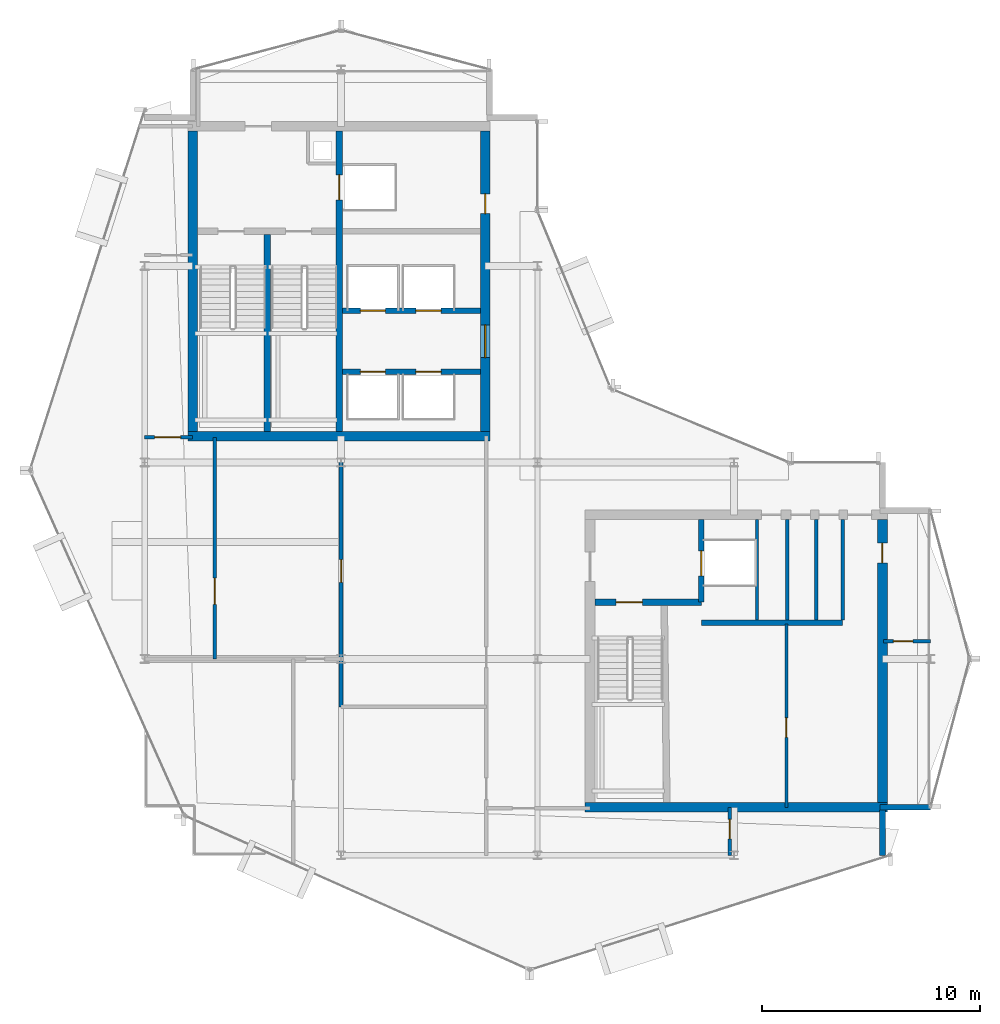
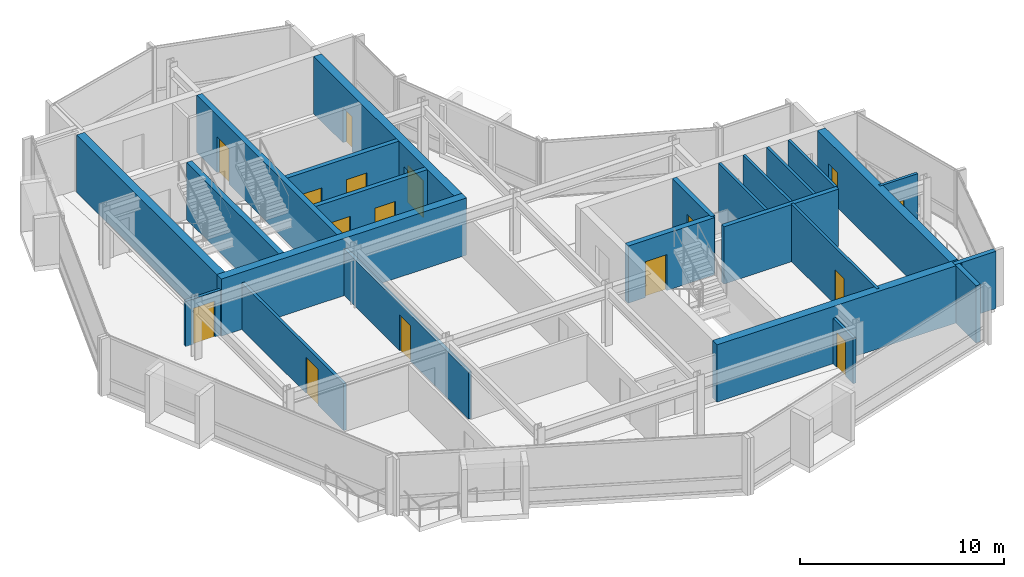
# One storey, part 14 of 19: 24 walls, 16 doors, 16 openings.
"""IFC4 building model written with IfcOpenShell, lengths in metres."""

from ifc_helpers import new_model, si_unit, direction, frame, frame_2d, origin, place, context, subcontext, project, spatial, rectangle, extrude, material, layer, layer_set, type_object, element, fill, save


model = new_model("IFC4")

# Units and contexts
model_context = context("Model", 3, precision=1e-05, world=origin(), true_north=direction((0.0, 1.0)))
body_context = subcontext(model_context, "Body", "Model", "MODEL_VIEW")
ifc_project = project(units=[si_unit("LENGTHUNIT", "METRE"), si_unit("AREAUNIT", "SQUARE_METRE"), si_unit("VOLUMEUNIT", "CUBIC_METRE"), si_unit("PLANEANGLEUNIT", "RADIAN"), si_unit("MASSUNIT", "GRAM", prefix="KILO")], contexts=[model_context])

# Site, building, storey
site_placement = place(None, origin())
site = spatial("IfcSite", under=ifc_project, at=site_placement, CompositionType="ELEMENT")
building_placement = place(site_placement, origin())
building = spatial("IfcBuilding", under=site, at=building_placement, Name="Solvaryn Broadcast Tower", CompositionType="ELEMENT")
storey_placement = place(building_placement, frame((0.0, 0.0, 259.300048828125)))
storey = spatial("IfcBuildingStorey", under=building, at=storey_placement, Name="L65", CompositionType="ELEMENT", Elevation=259.300048828125)

# Walls
ifc_material_1 = material(Name="Concrete f'c 70 MPa", Category="concrete")
ifc_layer_1 = layer(ifc_material_1, 0.449951171875)
ifc_layer_set_1 = layer_set([ifc_layer_1], Name="CW-SHEAR-450")
wall_type_1 = type_object("IfcWallType", Name="CW-SHEAR-450", PredefinedType="SHEAR", material=ifc_layer_set_1)
wall_1_placement = place(storey_placement, frame((10.97509765625, 28.199951171875, 0.0), z_axis=(0.0, 0.0, 1.0), x_axis=(1.0, 0.0, 0.0)))
element("IfcWall", 1, at=wall_1_placement, inside=storey, type_object=wall_type_1, Name="L65 West Core South Shear Wall", PredefinedType="SHEAR", context=body_context, shape_type="SweptSolid", body=[
    extrude(rectangle(XDim=13.849853515625, YDim=0.449951171875, at=frame_2d((6.9248046875, 0.0))), origin(), (0.0, 0.0, 1.0), 3.419921875),
])
wall_2_placement = place(storey_placement, frame((11.199951171875, 42.175048828125, 0.0), z_axis=(0.0, 0.0, 1.0), x_axis=(0.0, -1.0, 0.0)))
element("IfcWall", 2, at=wall_2_placement, inside=storey, type_object=wall_type_1, Name="L65 West Core West Shear Wall", PredefinedType="SHEAR", context=body_context, shape_type="SweptSolid", body=[
    extrude(rectangle(XDim=13.75, YDim=0.449951171875, at=frame_2d((6.875, 0.0))), origin(), (0.0, 0.0, 1.0), 3.419921875),
])

# Wall, openings, doors
wall_3_placement = place(storey_placement, frame((24.60009765625, 28.425048828125, 0.0), z_axis=(0.0, 0.0, 1.0), x_axis=(0.0, 1.0, 0.0)))
wall_3 = element("IfcWall", 3, at=wall_3_placement, inside=storey, type_object=wall_type_1, Name="L65 West Core East Shear Wall", PredefinedType="SHEAR", context=body_context, shape_type="SweptSolid", body=[
    extrude(rectangle(XDim=13.75, YDim=0.449951171875, at=frame_2d((6.875, 0.0))), origin(), (0.0, 0.0, 1.0), 3.419921875),
])
opening_1_placement = place(wall_3_placement, frame((3.375, 0.0, 0.0)))
opening_1 = element("IfcOpeningElement", 4, at=opening_1_placement, cuts=wall_3, Name="Opening FD60A", PredefinedType="OPENING", context=body_context, shape_type="SweptSolid", body=[
    extrude(rectangle(XDim=1.5, YDim=2.199951171875, at=frame_2d((0.75, 1.10009765625))), frame((0.0, 0.235107421875, 0.0), z_axis=(0.0, -1.0, 0.0), x_axis=(1.0, 0.0, 0.0)), (0.0, 0.0, 1.0), 0.469970703125),
])
opening_2_placement = place(wall_3_placement, frame((9.97509765625, 0.0, 0.0)))
opening_2 = element("IfcOpeningElement", 5, at=opening_2_placement, cuts=wall_3, Name="Opening FD60C", PredefinedType="OPENING", context=body_context, shape_type="SweptSolid", body=[
    extrude(rectangle(XDim=0.89990234375, YDim=2.10009765625, at=frame_2d((0.449951171875, 1.050048828125))), frame((0.0, 0.235107421875, 0.0), z_axis=(0.0, -1.0, 0.0), x_axis=(1.0, 0.0, 0.0)), (0.0, 0.0, 1.0), 0.469970703125),
])
ifc_material_2 = material(Name="Flush Acoustic Steel and Timber Door Assembly", Category="steel")
door_type_1 = type_object("IfcDoorType", Name="FD60-CORR-1500X2200", OperationType="NOTDEFINED", PredefinedType="DOOR", material=ifc_material_2)
door_1_placement = place(opening_1_placement, origin())
door_1 = element("IfcDoor", 6, at=door_1_placement, inside=storey, type_object=door_type_1, Name="L65 West Elevator Lobby Corridor Door", OperationType="DOUBLE_DOOR_SINGLE_SWING", OverallHeight=2.199951171875, OverallWidth=1.5, PredefinedType="DOOR", context=body_context, shape_type="SweptSolid", body=[
    extrude(rectangle(XDim=1.5, YDim=2.199951171875, at=frame_2d((0.75, 1.10009765625))), frame((0.0, 0.02490234375, 0.0), z_axis=(0.0, -1.0, 0.0), x_axis=(1.0, 0.0, 0.0)), (0.0, 0.0, 1.0), 0.050048828125),
])
fill(opening_1, door_1)
ifc_material_3 = material(Name="Flush Acoustic Steel and Timber Door Assembly", Category="steel")
door_type_2 = type_object("IfcDoorType", Name="FD60-SERV-900X2100", OperationType="NOTDEFINED", PredefinedType="DOOR", material=ifc_material_3)
door_2_placement = place(opening_2_placement, origin())
door_2 = element("IfcDoor", 7, at=door_2_placement, inside=storey, type_object=door_type_2, Name="L65 West Core Service Door 1", OperationType="SINGLE_SWING_LEFT", OverallHeight=2.10009765625, OverallWidth=0.89990234375, PredefinedType="DOOR", context=body_context, shape_type="SweptSolid", body=[
    extrude(rectangle(XDim=0.89990234375, YDim=2.10009765625, at=frame_2d((0.449951171875, 1.050048828125))), frame((0.0, 0.02490234375, 0.0), z_axis=(0.0, -1.0, 0.0), x_axis=(1.0, 0.0, 0.0)), (0.0, 0.0, 1.0), 0.050048828125),
])
fill(opening_2, door_2)

# Wall
wall_4_placement = place(storey_placement, frame((29.175048828125, 11.199951171875, 0.0), z_axis=(0.0, 0.0, 1.0), x_axis=(1.0, 0.0, 0.0)))
element("IfcWall", 8, at=wall_4_placement, inside=storey, type_object=wall_type_1, Name="L65 East Core South Shear Wall", PredefinedType="SHEAR", context=body_context, shape_type="SweptSolid", body=[
    extrude(rectangle(XDim=13.849853515625, YDim=0.449951171875, at=frame_2d((6.9248046875, 0.0))), origin(), (0.0, 0.0, 1.0), 3.419921875),
])

# Wall, opening, door
wall_5_placement = place(storey_placement, frame((42.800048828125, 11.425048828125, 0.0), z_axis=(0.0, 0.0, 1.0), x_axis=(0.0, 1.0, 0.0)))
wall_5 = element("IfcWall", 9, at=wall_5_placement, inside=storey, type_object=wall_type_1, Name="L65 East Core East Shear Wall", PredefinedType="SHEAR", context=body_context, shape_type="SweptSolid", body=[
    extrude(rectangle(XDim=12.949951171875, YDim=0.449951171875, at=frame_2d((6.47509765625, 0.0))), origin(), (0.0, 0.0, 1.0), 3.419921875),
])
opening_3_placement = place(wall_5_placement, frame((10.97509765625, 0.0, 0.0)))
opening_3 = element("IfcOpeningElement", 10, at=opening_3_placement, cuts=wall_5, Name="Opening FD60C", PredefinedType="OPENING", context=body_context, shape_type="SweptSolid", body=[
    extrude(rectangle(XDim=0.89990234375, YDim=2.10009765625, at=frame_2d((0.449951171875, 1.050048828125))), frame((0.0, 0.235107421875, 0.0), z_axis=(0.0, -1.0, 0.0), x_axis=(1.0, 0.0, 0.0)), (0.0, 0.0, 1.0), 0.469970703125),
])
door_3_placement = place(opening_3_placement, origin())
door_3 = element("IfcDoor", 11, at=door_3_placement, inside=storey, type_object=door_type_2, Name="L65 Upper East Studio Door", OperationType="SINGLE_SWING_RIGHT", OverallHeight=2.10009765625, OverallWidth=0.89990234375, PredefinedType="DOOR", context=body_context, shape_type="SweptSolid", body=[
    extrude(rectangle(XDim=0.89990234375, YDim=2.10009765625, at=frame_2d((0.449951171875, 1.050048828125))), frame((0.0, 0.02490234375, 0.0), z_axis=(0.0, -1.0, 0.0), x_axis=(1.0, 0.0, 0.0)), (0.0, 0.0, 1.0), 0.050048828125),
])
fill(opening_3, door_3)

# Walls
ifc_material_4 = material(Name="Concrete f'c 50 MPa", Category="concrete")
ifc_layer_2 = layer(ifc_material_4, 0.260009765625)
ifc_layer_set_2 = layer_set([ifc_layer_2], Name="EW-PIER-260")
wall_type_2 = type_object("IfcWallType", Name="EW-PIER-260", PredefinedType="SOLIDWALL", material=ifc_layer_set_2)
wall_6_placement = place(storey_placement, frame((42.800048828125, 9.0, 0.0), z_axis=(0.0, 0.0, 1.0), x_axis=(0.0, 1.0, 0.0)))
element("IfcWall", 12, at=wall_6_placement, inside=storey, type_object=wall_type_2, Name="L65 Notched Corner Pier Wall NSE1", PredefinedType="SOLIDWALL", context=body_context, shape_type="SweptSolid", body=[
    extrude(rectangle(XDim=2.080078125, YDim=0.260009765625, at=frame_2d((1.0400390625, 0.0))), origin(), (0.0, 0.0, 1.0), 3.419921875),
])
wall_7_placement = place(storey_placement, frame((42.679931640625, 11.199951171875, 0.0), z_axis=(0.0, 0.0, 1.0), x_axis=(1.0, 0.0, 0.0)))
element("IfcWall", 13, at=wall_7_placement, inside=storey, type_object=wall_type_2, Name="L65 Notched Corner Pier Wall NSE2", PredefinedType="SOLIDWALL", context=body_context, shape_type="SweptSolid", body=[
    extrude(rectangle(XDim=2.320068359375, YDim=0.260009765625, at=frame_2d((1.16015625, 0.0))), origin(), (0.0, 0.0, 1.0), 3.419921875),
])

# Wall, opening, door
ifc_material_5 = material(Name="Metal-Stud Service Core Partition")
ifc_layer_3 = layer(ifc_material_5, 0.14990234375)
ifc_layer_set_3 = layer_set([ifc_layer_3], Name="IW-PART-150")
wall_type_3 = type_object("IfcWallType", Name="IW-PART-150", PredefinedType="PARTITIONING", material=ifc_layer_set_3)
wall_8_placement = place(storey_placement, frame((38.39990234375, 11.199951171875, 0.0), z_axis=(0.0, 0.0, 1.0), x_axis=(0.0, 1.0, 0.0)))
wall_8 = element("IfcWall", 14, at=wall_8_placement, inside=storey, type_object=wall_type_3, Name="L65 Interior Partition IW-L65-RPM-V", PredefinedType="PARTITIONING", context=body_context, shape_type="SweptSolid", body=[
    extrude(rectangle(XDim=8.400146484375, YDim=0.14990234375, at=frame_2d((4.2001953125, 0.0))), origin(), (0.0, 0.0, 1.0), 3.419921875),
])
opening_4_placement = place(wall_8_placement, frame((3.199951171875, 0.0, 0.0)))
opening_4 = element("IfcOpeningElement", 15, at=opening_4_placement, cuts=wall_8, Name="Opening FD60C", PredefinedType="OPENING", context=body_context, shape_type="SweptSolid", body=[
    extrude(rectangle(XDim=0.89990234375, YDim=2.10009765625, at=frame_2d((0.449951171875, 1.050048828125))), frame((0.0, 0.0849609375, 0.0), z_axis=(0.0, -1.0, 0.0), x_axis=(1.0, 0.0, 0.0)), (0.0, 0.0, 1.0), 0.169921875),
])
door_4_placement = place(opening_4_placement, origin())
door_4 = element("IfcDoor", 16, at=door_4_placement, inside=storey, type_object=door_type_2, Name="L65 Door DR-L65-RPM1", OperationType="SINGLE_SWING_LEFT", OverallHeight=2.10009765625, OverallWidth=0.89990234375, PredefinedType="DOOR", context=body_context, shape_type="SweptSolid", body=[
    extrude(rectangle(XDim=0.89990234375, YDim=2.10009765625, at=frame_2d((0.449951171875, 1.050048828125))), frame((0.0, 0.02490234375, 0.0), z_axis=(0.0, -1.0, 0.0), x_axis=(1.0, 0.0, 0.0)), (0.0, 0.0, 1.0), 0.050048828125),
])
fill(opening_4, door_4)

# Walls
for number, where, z_axis, x_axis, name in (
    (17, (37.050048828125, 19.780029296875, 0.0), (0.0, 0.0, 1.0), (0.0, 1.0, 0.0), "L65 Interior Partition IW-L65-CE-FL2E"),
    (18, (38.43994140625, 19.780029296875, 0.0), (0.0, 0.0, 1.0), (0.0, 1.0, 0.0), "L65 Interior Partition IW-L65-CE-V1"),
    (19, (39.77001953125, 19.780029296875, 0.0), (0.0, 0.0, 1.0), (0.0, 1.0, 0.0), "L65 Interior Partition IW-L65-CE-V2"),
    (20, (40.97998046875, 19.780029296875, 0.0), (0.0, 0.0, 1.0), (0.0, 1.0, 0.0), "L65 Interior Partition IW-L65-CE-V3"),
):
    element("IfcWall", number, at=place(storey_placement, frame(where, z_axis=z_axis, x_axis=x_axis)), inside=storey, type_object=wall_type_3, Name=name, PredefinedType="PARTITIONING", context=body_context, shape_type="SweptSolid", body=[
        extrude(rectangle(XDim=4.594970703125, YDim=0.14990234375, at=frame_2d((2.29736328125, 0.0))), origin(), (0.0, 0.0, 1.0), 3.419921875),
    ])

# Wall, opening, door
wall_9_placement = place(storey_placement, frame((35.800048828125, 9.0, 0.0), z_axis=(0.0, 0.0, 1.0), x_axis=(0.0, 1.0, 0.0)))
wall_9 = element("IfcWall", 21, at=wall_9_placement, inside=storey, type_object=wall_type_3, Name="L65 Interior Partition IW-L65-SC-V", PredefinedType="PARTITIONING", context=body_context, shape_type="SweptSolid", body=[
    extrude(rectangle(XDim=2.199951171875, YDim=0.14990234375, at=frame_2d((1.10009765625, 0.0))), origin(), (0.0, 0.0, 1.0), 2.70703125),
])
opening_5_placement = place(wall_9_placement, frame((0.75, 0.0, 0.0)))
opening_5 = element("IfcOpeningElement", 22, at=opening_5_placement, cuts=wall_9, Name="Opening FD60C", PredefinedType="OPENING", context=body_context, shape_type="SweptSolid", body=[
    extrude(rectangle(XDim=0.89990234375, YDim=2.10009765625, at=frame_2d((0.449951171875, 1.050048828125))), frame((0.0, 0.0849609375, 0.0), z_axis=(0.0, -1.0, 0.0), x_axis=(1.0, 0.0, 0.0)), (0.0, 0.0, 1.0), 0.169921875),
])
door_5_placement = place(opening_5_placement, origin())
door_5 = element("IfcDoor", 23, at=door_5_placement, inside=storey, type_object=door_type_2, Name="L65 Door DR-L65-SC1", OperationType="SINGLE_SWING_LEFT", OverallHeight=2.10009765625, OverallWidth=0.89990234375, PredefinedType="DOOR", context=body_context, shape_type="SweptSolid", body=[
    extrude(rectangle(XDim=0.89990234375, YDim=2.10009765625, at=frame_2d((0.449951171875, 1.050048828125))), frame((0.0, 0.02490234375, 0.0), z_axis=(0.0, -1.0, 0.0), x_axis=(1.0, 0.0, 0.0)), (0.0, 0.0, 1.0), 0.050048828125),
])
fill(opening_5, door_5)

wall_10_placement = place(storey_placement, frame((42.85009765625, 18.800048828125, 0.0), z_axis=(0.0, 0.0, 1.0), x_axis=(1.0, 0.0, 0.0)))
wall_10 = element("IfcWall", 24, at=wall_10_placement, inside=storey, type_object=wall_type_3, Name="L65 Interior Partition IW-L65-E4M", PredefinedType="PARTITIONING", context=body_context, shape_type="SweptSolid", body=[
    extrude(rectangle(XDim=2.14990234375, YDim=0.14990234375, at=frame_2d((1.074951171875, 0.0))), origin(), (0.0, 0.0, 1.0), 3.419921875),
])
opening_6_placement = place(wall_10_placement, frame((0.449951171875, 0.0, 0.0)))
opening_6 = element("IfcOpeningElement", 25, at=opening_6_placement, cuts=wall_10, Name="Opening FD60C", PredefinedType="OPENING", context=body_context, shape_type="SweptSolid", body=[
    extrude(rectangle(XDim=0.89990234375, YDim=2.10009765625, at=frame_2d((0.449951171875, 1.050048828125))), frame((0.0, 0.0849609375, 0.0), z_axis=(0.0, -1.0, 0.0), x_axis=(1.0, 0.0, 0.0)), (0.0, 0.0, 1.0), 0.169921875),
])
door_6_placement = place(opening_6_placement, origin())
door_6 = element("IfcDoor", 26, at=door_6_placement, inside=storey, type_object=door_type_2, Name="L65 Door DR-L65-E4M", OperationType="SINGLE_SWING_RIGHT", OverallHeight=2.10009765625, OverallWidth=0.89990234375, PredefinedType="DOOR", context=body_context, shape_type="SweptSolid", body=[
    extrude(rectangle(XDim=0.89990234375, YDim=2.10009765625, at=frame_2d((0.449951171875, 1.050048828125))), frame((0.0, 0.02490234375, 0.0), z_axis=(0.0, -1.0, 0.0), x_axis=(1.0, 0.0, 0.0)), (0.0, 0.0, 1.0), 0.050048828125),
])
fill(opening_6, door_6)

ifc_material_6 = material(Name="Metal-Stud Gypsum Office Partition")
ifc_layer_4 = layer(ifc_material_6, 0.159912109375)
ifc_layer_set_4 = layer_set([ifc_layer_4], Name="IW-PART-160")
wall_type_4 = type_object("IfcWallType", Name="IW-PART-160", PredefinedType="PARTITIONING", material=ifc_layer_set_4)
wall_11_placement = place(storey_placement, frame((9.0, 28.14990234375, 0.0), z_axis=(0.0, 0.0, 1.0), x_axis=(1.0, 0.0, 0.0)))
wall_11 = element("IfcWall", 27, at=wall_11_placement, inside=storey, type_object=wall_type_4, Name="L65 Interior Partition IW-L65-WM-S", PredefinedType="PARTITIONING", context=body_context, shape_type="SweptSolid", body=[
    extrude(rectangle(XDim=2.199951171875, YDim=0.159912109375, at=frame_2d((1.10009765625, 0.0))), origin(), (0.0, 0.0, 1.0), 2.70703125),
])
opening_7_placement = place(wall_11_placement, frame((0.449951171875, 0.0, 0.0)))
opening_7 = element("IfcOpeningElement", 28, at=opening_7_placement, cuts=wall_11, Name="Opening ID04", PredefinedType="OPENING", context=body_context, shape_type="SweptSolid", body=[
    extrude(rectangle(XDim=1.199951171875, YDim=2.14990234375, at=frame_2d((0.60009765625, 1.074951171875))), frame((0.0, 0.090087890625, 0.0), z_axis=(0.0, -1.0, 0.0), x_axis=(1.0, 0.0, 0.0)), (0.0, 0.0, 1.0), 0.179931640625),
])
ifc_material_7 = material(Name="Flush Acoustic Steel and Timber Door Assembly", Category="steel")
door_type_3 = type_object("IfcDoorType", Name="ID-04-1200X2150", OperationType="NOTDEFINED", PredefinedType="DOOR", material=ifc_material_7)
door_7_placement = place(opening_7_placement, origin())
door_7 = element("IfcDoor", 29, at=door_7_placement, inside=storey, type_object=door_type_3, Name="L65 Door DR-L65-WM0", OperationType="SINGLE_SWING_RIGHT", OverallHeight=2.14990234375, OverallWidth=1.199951171875, PredefinedType="DOOR", context=body_context, shape_type="SweptSolid", body=[
    extrude(rectangle(XDim=1.199951171875, YDim=2.14990234375, at=frame_2d((0.60009765625, 1.074951171875))), frame((0.0, 0.02490234375, 0.0), z_axis=(0.0, -1.0, 0.0), x_axis=(1.0, 0.0, 0.0)), (0.0, 0.0, 1.0), 0.050048828125),
])
fill(opening_7, door_7)

wall_12_placement = place(storey_placement, frame((12.199951171875, 18.0, 0.0), z_axis=(0.0, 0.0, 1.0), x_axis=(0.0, 1.0, 0.0)))
wall_12 = element("IfcWall", 30, at=wall_12_placement, inside=storey, type_object=wall_type_4, Name="L65 Interior Partition IW-L65-SW-NWV", PredefinedType="PARTITIONING", context=body_context, shape_type="SweptSolid", body=[
    extrude(rectangle(XDim=10.1298828125, YDim=0.159912109375, at=frame_2d((5.06494140625, 0.0))), origin(), (0.0, 0.0, 1.0), 2.7890625),
])
opening_8_placement = place(wall_12_placement, frame((2.5, 0.0, 0.0)))
opening_8 = element("IfcOpeningElement", 31, at=opening_8_placement, cuts=wall_12, Name="Opening ID04", PredefinedType="OPENING", context=body_context, shape_type="SweptSolid", body=[
    extrude(rectangle(XDim=1.199951171875, YDim=2.14990234375, at=frame_2d((0.60009765625, 1.074951171875))), frame((0.0, 0.090087890625, 0.0), z_axis=(0.0, -1.0, 0.0), x_axis=(1.0, 0.0, 0.0)), (0.0, 0.0, 1.0), 0.179931640625),
])
door_8_placement = place(opening_8_placement, origin())
door_8 = element("IfcDoor", 32, at=door_8_placement, inside=storey, type_object=door_type_3, Name="L65 Door DR-L65-SWL-NW", OperationType="SINGLE_SWING_LEFT", OverallHeight=2.14990234375, OverallWidth=1.199951171875, PredefinedType="DOOR", context=body_context, shape_type="SweptSolid", body=[
    extrude(rectangle(XDim=1.199951171875, YDim=2.14990234375, at=frame_2d((0.60009765625, 1.074951171875))), frame((0.0, 0.02490234375, 0.0), z_axis=(0.0, -1.0, 0.0), x_axis=(1.0, 0.0, 0.0)), (0.0, 0.0, 1.0), 0.050048828125),
])
fill(opening_8, door_8)

ifc_material_8 = material(Name="Acoustic Metal-Stud Gypsum Partition")
ifc_layer_5 = layer(ifc_material_8, 0.179931640625)
ifc_layer_set_5 = layer_set([ifc_layer_5], Name="IW-PART-180")
wall_type_5 = type_object("IfcWallType", Name="IW-PART-180", PredefinedType="PARTITIONING", material=ifc_layer_set_5)
wall_13_placement = place(storey_placement, frame((18.0, 15.800048828125, 0.0), z_axis=(0.0, 0.0, 1.0), x_axis=(0.0, 1.0, 0.0)))
wall_13 = element("IfcWall", 33, at=wall_13_placement, inside=storey, type_object=wall_type_5, Name="L65 Interior Partition IW-L65-SW-LV", PredefinedType="PARTITIONING", context=body_context, shape_type="SweptSolid", body=[
    extrude(rectangle(XDim=12.329833984375, YDim=0.179931640625, at=frame_2d((6.1650390625, 0.0))), origin(), (0.0, 0.0, 1.0), 2.7890625),
])
opening_9_placement = place(wall_13_placement, frame((5.699951171875, 0.0, 0.0)))
opening_9 = element("IfcOpeningElement", 34, at=opening_9_placement, cuts=wall_13, Name="Opening ID03", PredefinedType="OPENING", context=body_context, shape_type="SweptSolid", body=[
    extrude(rectangle(XDim=1.050048828125, YDim=2.14990234375, at=frame_2d((0.52490234375, 1.074951171875))), frame((0.0, 0.099853515625, 0.0), z_axis=(0.0, -1.0, 0.0), x_axis=(1.0, 0.0, 0.0)), (0.0, 0.0, 1.0), 0.199951171875),
])
ifc_material_9 = material(Name="Flush Acoustic Steel and Timber Door Assembly", Category="steel")
door_type_4 = type_object("IfcDoorType", Name="ID-03-1050X2150", OperationType="NOTDEFINED", PredefinedType="DOOR", material=ifc_material_9)
door_9_placement = place(opening_9_placement, origin())
door_9 = element("IfcDoor", 35, at=door_9_placement, inside=storey, type_object=door_type_4, Name="L65 Door DR-L65-SWL-LV", OperationType="SINGLE_SWING_RIGHT", OverallHeight=2.14990234375, OverallWidth=1.050048828125, PredefinedType="DOOR", context=body_context, shape_type="SweptSolid", body=[
    extrude(rectangle(XDim=1.050048828125, YDim=2.14990234375, at=frame_2d((0.52490234375, 1.074951171875))), frame((0.0, 0.02490234375, 0.0), z_axis=(0.0, -1.0, 0.0), x_axis=(1.0, 0.0, 0.0)), (0.0, 0.0, 1.0), 0.050048828125),
])
fill(opening_9, door_9)

# Wall, openings, doors
ifc_material_10 = material(Name="Concrete f'c 60 MPa", Category="concrete")
ifc_layer_6 = layer(ifc_material_10, 0.25)
ifc_layer_set_6 = layer_set([ifc_layer_6], Name="SW-SHAFT-250")
wall_type_6 = type_object("IfcWallType", Name="SW-SHAFT-250", PredefinedType="PARTITIONING", material=ifc_layer_set_6)
wall_14_placement = place(storey_placement, frame((18.070068359375, 31.14990234375, 0.0), z_axis=(0.0, 0.0, 1.0), x_axis=(1.0, 0.0, 0.0)))
wall_14 = element("IfcWall", 36, at=wall_14_placement, inside=storey, type_object=wall_type_6, Name="L65 High-Rise Lift Bank South Wall", PredefinedType="PARTITIONING", context=body_context, shape_type="SweptSolid", body=[
    extrude(rectangle(XDim=6.304931640625, YDim=0.25, at=frame_2d((3.15234375, 0.0))), origin(), (0.0, 0.0, 1.0), 3.419921875),
])
opening_10_placement = place(wall_14_placement, frame((0.804931640625, 0.0, 0.0)))
opening_10 = element("IfcOpeningElement", 37, at=opening_10_placement, cuts=wall_14, Name="Opening LD01", PredefinedType="OPENING", context=body_context, shape_type="SweptSolid", body=[
    extrude(rectangle(XDim=1.14990234375, YDim=2.14990234375, at=frame_2d((0.574951171875, 1.074951171875))), frame((0.0, 0.135009765625, 0.0), z_axis=(0.0, -1.0, 0.0), x_axis=(1.0, 0.0, 0.0)), (0.0, 0.0, 1.0), 0.27001953125),
])
opening_11_placement = place(wall_14_placement, frame((3.35498046875, 0.0, 0.0)))
opening_11 = element("IfcOpeningElement", 38, at=opening_11_placement, cuts=wall_14, Name="Opening LD01", PredefinedType="OPENING", context=body_context, shape_type="SweptSolid", body=[
    extrude(rectangle(XDim=1.14990234375, YDim=2.14990234375, at=frame_2d((0.574951171875, 1.074951171875))), frame((0.0, 0.135009765625, 0.0), z_axis=(0.0, -1.0, 0.0), x_axis=(1.0, 0.0, 0.0)), (0.0, 0.0, 1.0), 0.27001953125),
])
ifc_material_11 = material(Name="Flush Acoustic Steel and Timber Door Assembly", Category="steel")
door_type_5 = type_object("IfcDoorType", Name="LD-LIFT-1150X2150", OperationType="NOTDEFINED", PredefinedType="DOOR", material=ifc_material_11)
door_10_placement = place(opening_10_placement, origin())
door_10 = element("IfcDoor", 39, at=door_10_placement, inside=storey, type_object=door_type_5, Name="L65 PH1 Lift Landing Door", OperationType="DOUBLE_DOOR_SLIDING", OverallHeight=2.14990234375, OverallWidth=1.14990234375, PredefinedType="DOOR", context=body_context, shape_type="SweptSolid", body=[
    extrude(rectangle(XDim=1.14990234375, YDim=2.14990234375, at=frame_2d((0.574951171875, 1.074951171875))), frame((0.0, 0.02490234375, 0.0), z_axis=(0.0, -1.0, 0.0), x_axis=(1.0, 0.0, 0.0)), (0.0, 0.0, 1.0), 0.050048828125),
])
fill(opening_10, door_10)
door_11_placement = place(opening_11_placement, origin())
door_11 = element("IfcDoor", 40, at=door_11_placement, inside=storey, type_object=door_type_5, Name="L65 PH2 Lift Landing Door", OperationType="DOUBLE_DOOR_SLIDING", OverallHeight=2.14990234375, OverallWidth=1.14990234375, PredefinedType="DOOR", context=body_context, shape_type="SweptSolid", body=[
    extrude(rectangle(XDim=1.14990234375, YDim=2.14990234375, at=frame_2d((0.574951171875, 1.074951171875))), frame((0.0, 0.02490234375, 0.0), z_axis=(0.0, -1.0, 0.0), x_axis=(1.0, 0.0, 0.0)), (0.0, 0.0, 1.0), 0.050048828125),
])
fill(opening_11, door_11)

wall_15_placement = place(storey_placement, frame((24.375, 33.949951171875, 0.0), z_axis=(0.0, 0.0, 1.0), x_axis=(-1.0, 0.0, 0.0)))
wall_15 = element("IfcWall", 41, at=wall_15_placement, inside=storey, type_object=wall_type_6, Name="L65 High-Rise Lift Bank North Wall", PredefinedType="PARTITIONING", context=body_context, shape_type="SweptSolid", body=[
    extrude(rectangle(XDim=6.304931640625, YDim=0.25, at=frame_2d((3.15234375, 0.0))), origin(), (0.0, 0.0, 1.0), 3.419921875),
])
opening_12_placement = place(wall_15_placement, frame((4.35009765625, 0.0, 0.0)))
opening_12 = element("IfcOpeningElement", 42, at=opening_12_placement, cuts=wall_15, Name="Opening LD01", PredefinedType="OPENING", context=body_context, shape_type="SweptSolid", body=[
    extrude(rectangle(XDim=1.14990234375, YDim=2.14990234375, at=frame_2d((0.574951171875, 1.074951171875))), frame((0.0, 0.135009765625, 0.0), z_axis=(0.0, -1.0, 0.0), x_axis=(1.0, 0.0, 0.0)), (0.0, 0.0, 1.0), 0.27001953125),
])
opening_13_placement = place(wall_15_placement, frame((1.800048828125, 0.0, 0.0)))
opening_13 = element("IfcOpeningElement", 43, at=opening_13_placement, cuts=wall_15, Name="Opening LD01", PredefinedType="OPENING", context=body_context, shape_type="SweptSolid", body=[
    extrude(rectangle(XDim=1.14990234375, YDim=2.14990234375, at=frame_2d((0.574951171875, 1.074951171875))), frame((0.0, 0.135009765625, 0.0), z_axis=(0.0, -1.0, 0.0), x_axis=(1.0, 0.0, 0.0)), (0.0, 0.0, 1.0), 0.27001953125),
])
door_12_placement = place(opening_12_placement, origin())
door_12 = element("IfcDoor", 44, at=door_12_placement, inside=storey, type_object=door_type_5, Name="L65 PH3 Lift Landing Door", OperationType="DOUBLE_DOOR_SLIDING", OverallHeight=2.14990234375, OverallWidth=1.14990234375, PredefinedType="DOOR", context=body_context, shape_type="SweptSolid", body=[
    extrude(rectangle(XDim=1.14990234375, YDim=2.14990234375, at=frame_2d((0.574951171875, 1.074951171875))), frame((0.0, 0.02490234375, 0.0), z_axis=(0.0, -1.0, 0.0), x_axis=(1.0, 0.0, 0.0)), (0.0, 0.0, 1.0), 0.050048828125),
])
fill(opening_12, door_12)
door_13_placement = place(opening_13_placement, origin())
door_13 = element("IfcDoor", 45, at=door_13_placement, inside=storey, type_object=door_type_5, Name="L65 PH4 Lift Landing Door", OperationType="DOUBLE_DOOR_SLIDING", OverallHeight=2.14990234375, OverallWidth=1.14990234375, PredefinedType="DOOR", context=body_context, shape_type="SweptSolid", body=[
    extrude(rectangle(XDim=1.14990234375, YDim=2.14990234375, at=frame_2d((0.574951171875, 1.074951171875))), frame((0.0, 0.02490234375, 0.0), z_axis=(0.0, -1.0, 0.0), x_axis=(1.0, 0.0, 0.0)), (0.0, 0.0, 1.0), 0.050048828125),
])
fill(opening_13, door_13)

# Wall, opening, door
wall_16_placement = place(storey_placement, frame((34.5, 20.60009765625, 0.0), z_axis=(0.0, 0.0, 1.0), x_axis=(0.0, 1.0, 0.0)))
wall_16 = element("IfcWall", 46, at=wall_16_placement, inside=storey, type_object=wall_type_6, Name="L65 East FSAE Lobby East Wall", PredefinedType="PARTITIONING", context=body_context, shape_type="SweptSolid", body=[
    extrude(rectangle(XDim=3.77490234375, YDim=0.25, at=frame_2d((1.887451171875, 0.0))), origin(), (0.0, 0.0, 1.0), 3.419921875),
])
opening_14_placement = place(wall_16_placement, frame((1.199951171875, 0.0, 0.0)))
opening_14 = element("IfcOpeningElement", 47, at=opening_14_placement, cuts=wall_16, Name="Opening LD01", PredefinedType="OPENING", context=body_context, shape_type="SweptSolid", body=[
    extrude(rectangle(XDim=1.14990234375, YDim=2.14990234375, at=frame_2d((0.574951171875, 1.074951171875))), frame((0.0, 0.135009765625, 0.0), z_axis=(0.0, -1.0, 0.0), x_axis=(1.0, 0.0, 0.0)), (0.0, 0.0, 1.0), 0.27001953125),
])
door_14_placement = place(opening_14_placement, origin())
door_14 = element("IfcDoor", 48, at=door_14_placement, inside=storey, type_object=door_type_5, Name="L65 FL2 Lift Landing Door", OperationType="DOUBLE_DOOR_SLIDING", OverallHeight=2.14990234375, OverallWidth=1.14990234375, PredefinedType="DOOR", context=body_context, shape_type="SweptSolid", body=[
    extrude(rectangle(XDim=1.14990234375, YDim=2.14990234375, at=frame_2d((0.574951171875, 1.074951171875))), frame((0.0, 0.02490234375, 0.0), z_axis=(0.0, -1.0, 0.0), x_axis=(1.0, 0.0, 0.0)), (0.0, 0.0, 1.0), 0.050048828125),
])
fill(opening_14, door_14)

# Walls
wall_17_placement = place(storey_placement, frame((34.5, 19.64990234375, 0.0), z_axis=(0.0, 0.0, 1.0), x_axis=(1.0, 0.0, 0.0)))
element("IfcWall", 49, at=wall_17_placement, inside=storey, type_object=wall_type_6, Name="L65 East Core Restroom South Wall", PredefinedType="PARTITIONING", context=body_context, shape_type="SweptSolid", body=[
    extrude(rectangle(XDim=6.47998046875, YDim=0.25, at=frame_2d((3.239990234375, 0.0))), origin(), (0.0, 0.0, 1.0), 3.419921875),
])
ifc_material_12 = material(Name="Concrete f'c 70 MPa", Category="concrete")
ifc_layer_7 = layer(ifc_material_12, 0.300048828125)
ifc_layer_set_7 = layer_set([ifc_layer_7], Name="SW-SHAFT-300")
wall_type_7 = type_object("IfcWallType", Name="SW-SHAFT-300", PredefinedType="SHEAR", material=ifc_layer_set_7)
wall_18_placement = place(storey_placement, frame((14.6201171875, 28.425048828125, 0.0), z_axis=(0.0, 0.0, 1.0), x_axis=(0.0, 1.0, 0.0)))
element("IfcWall", 50, at=wall_18_placement, inside=storey, type_object=wall_type_7, Name="L65 Stair 1-2 Dividing Wall", PredefinedType="SHEAR", context=body_context, shape_type="SweptSolid", body=[
    extrude(rectangle(XDim=9.02490234375, YDim=0.300048828125, at=frame_2d((4.512451171875, 0.0))), origin(), (0.0, 0.0, 1.0), 3.419921875),
])

# Wall, opening, door
wall_19_placement = place(storey_placement, frame((17.919921875, 42.175048828125, 0.0), z_axis=(0.0, 0.0, 1.0), x_axis=(0.0, -1.0, 0.0)))
wall_19 = element("IfcWall", 51, at=wall_19_placement, inside=storey, type_object=wall_type_7, Name="L65 West Core Stair-Lobby Shear Wall", PredefinedType="SHEAR", context=body_context, shape_type="SweptSolid", body=[
    extrude(rectangle(XDim=13.75, YDim=0.300048828125, at=frame_2d((6.875, 0.0))), origin(), (0.0, 0.0, 1.0), 3.419921875),
])
opening_15_placement = place(wall_19_placement, frame((2.0, 0.0, 0.0)))
opening_15 = element("IfcOpeningElement", 52, at=opening_15_placement, cuts=wall_19, Name="Opening LD01", PredefinedType="OPENING", context=body_context, shape_type="SweptSolid", body=[
    extrude(rectangle(XDim=1.14990234375, YDim=2.14990234375, at=frame_2d((0.574951171875, 1.074951171875))), frame((0.0, 0.159912109375, 0.0), z_axis=(0.0, -1.0, 0.0), x_axis=(1.0, 0.0, 0.0)), (0.0, 0.0, 1.0), 0.320068359375),
])
door_15_placement = place(opening_15_placement, origin())
door_15 = element("IfcDoor", 53, at=door_15_placement, inside=storey, type_object=door_type_5, Name="L65 FL1 Lift Landing Door", OperationType="DOUBLE_DOOR_SLIDING", OverallHeight=2.14990234375, OverallWidth=1.14990234375, PredefinedType="DOOR", context=body_context, shape_type="SweptSolid", body=[
    extrude(rectangle(XDim=1.14990234375, YDim=2.14990234375, at=frame_2d((0.574951171875, 1.074951171875))), frame((0.0, 0.02490234375, 0.0), z_axis=(0.0, -1.0, 0.0), x_axis=(1.0, 0.0, 0.0)), (0.0, 0.0, 1.0), 0.050048828125),
])
fill(opening_15, door_15)

wall_20_placement = place(storey_placement, frame((34.5, 20.60009765625, 0.0), z_axis=(0.0, 0.0, 1.0), x_axis=(-1.0, 0.0, 0.0)))
wall_20 = element("IfcWall", 54, at=wall_20_placement, inside=storey, type_object=wall_type_7, Name="L65 East FSAE Lobby South Wall", PredefinedType="SHEAR", context=body_context, shape_type="SweptSolid", body=[
    extrude(rectangle(XDim=4.875, YDim=0.300048828125, at=frame_2d((2.4375, 0.0))), origin(), (0.0, 0.0, 1.0), 3.419921875),
])
opening_16_placement = place(wall_20_placement, frame((2.699951171875, 0.0, 0.0)))
opening_16 = element("IfcOpeningElement", 55, at=opening_16_placement, cuts=wall_20, Name="Opening FD90A", PredefinedType="OPENING", context=body_context, shape_type="SweptSolid", body=[
    extrude(rectangle(XDim=1.199951171875, YDim=2.14990234375, at=frame_2d((0.60009765625, 1.074951171875))), frame((0.0, 0.159912109375, 0.0), z_axis=(0.0, -1.0, 0.0), x_axis=(1.0, 0.0, 0.0)), (0.0, 0.0, 1.0), 0.320068359375),
])
ifc_material_13 = material(Name="Flush Acoustic Steel and Timber Door Assembly", Category="steel")
door_type_6 = type_object("IfcDoorType", Name="FD90-STAIR-1200X2150", OperationType="NOTDEFINED", PredefinedType="DOOR", material=ifc_material_13)
door_16_placement = place(opening_16_placement, origin())
door_16 = element("IfcDoor", 56, at=door_16_placement, inside=storey, type_object=door_type_6, Name="L65 Stair 3 Fire Door", OperationType="SINGLE_SWING_LEFT", OverallHeight=2.14990234375, OverallWidth=1.199951171875, PredefinedType="DOOR", context=body_context, shape_type="SweptSolid", body=[
    extrude(rectangle(XDim=1.199951171875, YDim=2.14990234375, at=frame_2d((0.60009765625, 1.074951171875))), frame((0.0, 0.02490234375, 0.0), z_axis=(0.0, -1.0, 0.0), x_axis=(1.0, 0.0, 0.0)), (0.0, 0.0, 1.0), 0.050048828125),
])
fill(opening_16, door_16)

save(model, "model.ifc")
